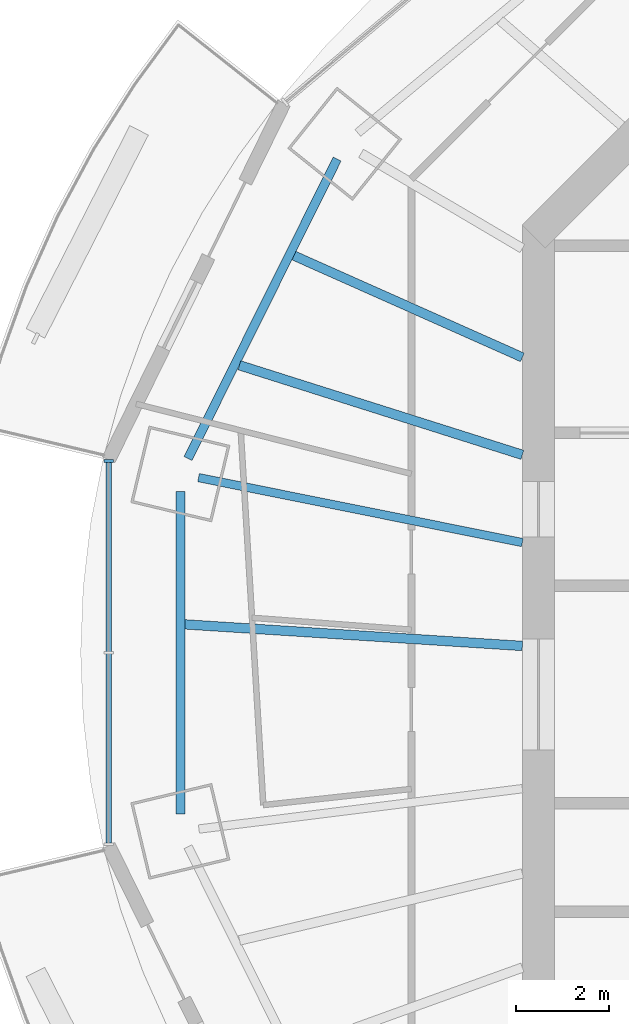
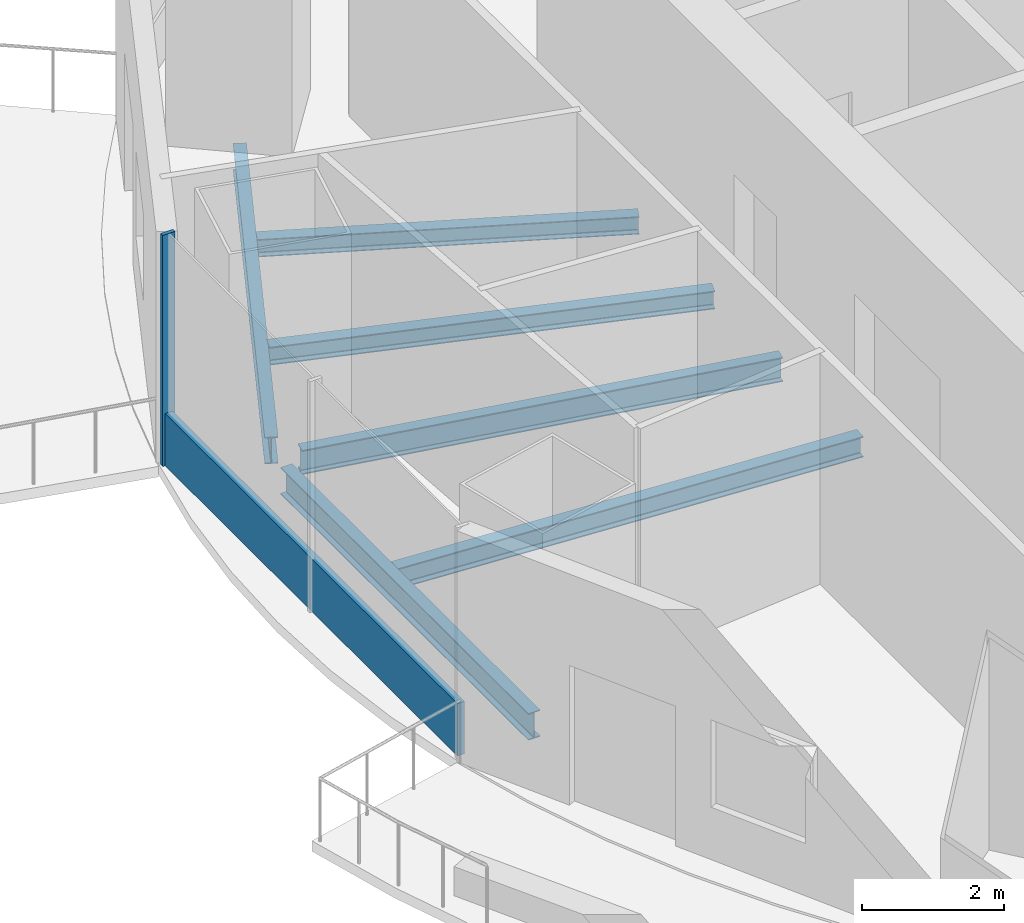
# One storey, part 3 of 15: 6 beams, 2 members, 1 element without a shape of its own.
"""IFC4 building model written with IfcOpenShell, lengths in metres."""

from ifc_helpers import new_model, si_unit, direction, frame, origin, origin_2d, place, context, subcontext, project, spatial, rectangle, i_section, extrude, material, material_profile, profile_set, type_object, element, aggregate, save


model = new_model("IFC4")

# Units and contexts
model_context = context("Model", 3, precision=1e-05, world=origin(), true_north=direction((0.0, 1.0)))
body_context = subcontext(model_context, "Body", "Model", "MODEL_VIEW")
ifc_project = project(units=[si_unit("LENGTHUNIT", "METRE"), si_unit("AREAUNIT", "SQUARE_METRE"), si_unit("VOLUMEUNIT", "CUBIC_METRE"), si_unit("PLANEANGLEUNIT", "RADIAN"), si_unit("MASSUNIT", "GRAM", prefix="KILO")], contexts=[model_context])

# Site, building, storey
site_placement = place(None, origin())
site = spatial("IfcSite", under=ifc_project, at=site_placement, CompositionType="ELEMENT")
building_placement = place(site_placement, origin())
building = spatial("IfcBuilding", under=site, at=building_placement, Name="Marenthal Gate Tower", CompositionType="ELEMENT")
storey_placement = place(building_placement, frame((0.0, 0.0, 384.10009765625)))
storey = spatial("IfcBuildingStorey", under=building, at=storey_placement, Name="L87", CompositionType="ELEMENT", Elevation=384.10009765625)

# Curtain wall, members
ifc_material_1 = material(Name="Aluminium and glass", Category="aluminium")
curtain_wall_type = type_object("IfcCurtainWallType", Name="Curtain wall typical high", PredefinedType="NOTDEFINED", material=ifc_material_1)
curtain_wall_placement = place(storey_placement, origin())
curtain_wall = element("IfcCurtainWall", 1, at=curtain_wall_placement, inside=storey, type_object=curtain_wall_type, Name="Curtain wall L87 bay 8", PredefinedType="NOTDEFINED")
ifc_material_2 = material(Name="Aluminium", Category="aluminium")
ifc_material_profile_1 = material_profile(ifc_material_2, rectangle(XDim=0.199951171875, YDim=0.06005859375, at=origin_2d()), Name="60x200 aluminium mullion")
ifc_profile_set_1 = profile_set([ifc_material_profile_1], Name="Aluminium")
member_type_1 = type_object("IfcMemberType", Name="Mullion 60x200 typical high", PredefinedType="MULLION", material=ifc_profile_set_1)
member_1_placement = place(storey_placement, frame((-25.292236328125, 5.041015625, 0.0), z_axis=(0.0, 0.0, 1.0), x_axis=(1.0, 0.0, 0.0)))
member_1 = element("IfcMember", 2, at=member_1_placement, type_object=member_type_1, Name="Mullion L87 bay 8.1", PredefinedType="MULLION", context=body_context, shape_type="SweptSolid", body=[
    extrude(rectangle(XDim=0.199951171875, YDim=0.06005859375, at=origin_2d()), origin(), (0.0, 0.0, 1.0), 3.969970703125),
])
ifc_material_3 = material(Name="Aluminium", Category="aluminium")
ifc_material_profile_2 = material_profile(ifc_material_3, rectangle(XDim=0.1201171875, YDim=0.89990234375, at=origin_2d()), Name="120x900 aluminium transom")
ifc_profile_set_2 = profile_set([ifc_material_profile_2], Name="Aluminium")
member_type_2 = type_object("IfcMemberType", Name="Transom 120x900 typical high", PredefinedType="USERDEFINED", material=ifc_profile_set_2)
member_2_placement = place(storey_placement, frame((-25.292236328125, 5.010986328125, 0.449951171875), z_axis=(0.0, -1.0, 0.0), x_axis=(1.0, 0.0, 0.0)))
member_2 = element("IfcMember", 3, at=member_2_placement, type_object=member_type_2, Name="Transom L87 bay 8", ObjectType="TRANSOM", PredefinedType="USERDEFINED", context=body_context, shape_type="SweptSolid", body=[
    extrude(rectangle(XDim=0.1201171875, YDim=0.89990234375, at=origin_2d()), origin(), (0.0, 0.0, 1.0), 8.221923828125),
])
aggregate(curtain_wall, [member_1, member_2])

# Beams
ifc_material_4 = material(Name="Steel S355", Category="steel")
ifc_material_profile_3 = material_profile(ifc_material_4, i_section(OverallWidth=0.202880859375, OverallDepth=0.302001953125, WebThickness=0.007568359375, FlangeThickness=0.01318359375, FilletRadius=0.0126953125, at=origin_2d()), Name="W310X60")
ifc_profile_set_3 = profile_set([ifc_material_profile_3], Name="Steel S355")
beam_type_1 = type_object("IfcBeamType", Name="W310X60 beam", PredefinedType="BEAM", material=ifc_profile_set_3)
beam_1_placement = place(storey_placement, frame((-21.2861328125, 9.482177734375, -0.3310546875), z_axis=(0.913455344752, -0.406938979631, 0.0), x_axis=(0.406938979631, 0.913455344752, 0.0)))
element("IfcBeam", 4, at=beam_1_placement, inside=storey, type_object=beam_type_1, Name="BM-L87-25", PredefinedType="BEAM", context=body_context, shape_type="SweptSolid", body=[
    extrude(i_section(OverallWidth=0.202880859375, OverallDepth=0.302001953125, WebThickness=0.007568359375, FlangeThickness=0.01318359375, FilletRadius=0.0126953125, at=origin_2d()), origin(), (0.0, 0.0, 1.0), 5.40380859375),
])
ifc_material_5 = material(Name="Steel S355", Category="steel")
ifc_material_profile_4 = material_profile(ifc_material_5, i_section(OverallWidth=0.205078125, OverallDepth=0.31005859375, WebThickness=0.009521484375, FlangeThickness=0.016357421875, FilletRadius=0.0126953125, at=origin_2d()), Name="W310X74")
ifc_profile_set_4 = profile_set([ifc_material_profile_4], Name="Steel S355")
beam_type_2 = type_object("IfcBeamType", Name="W310X74 beam", PredefinedType="BEAM", material=ifc_profile_set_4)
beam_2_placement = place(storey_placement, frame((-22.466064453125, 7.11279296875, -0.335205078125), z_axis=(0.953362121218, -0.301828868444, 0.0), x_axis=(0.301828868444, 0.953362121218, 0.0)))
element("IfcBeam", 5, at=beam_2_placement, inside=storey, type_object=beam_type_2, Name="BM-L87-26", PredefinedType="BEAM", context=body_context, shape_type="SweptSolid", body=[
    extrude(i_section(OverallWidth=0.205078125, OverallDepth=0.31005859375, WebThickness=0.009521484375, FlangeThickness=0.016357421875, FilletRadius=0.0126953125, at=origin_2d()), origin(), (0.0, 0.0, 1.0), 6.4150390625),
])
ifc_material_6 = material(Name="Steel S355", Category="steel")
ifc_material_profile_5 = material_profile(ifc_material_6, i_section(OverallWidth=0.205078125, OverallDepth=0.35302734375, WebThickness=0.009521484375, FlangeThickness=0.016845703125, FilletRadius=0.014892578125, at=origin_2d()), Name="W360X79")
ifc_profile_set_5 = profile_set([ifc_material_profile_5], Name="Steel S355")
beam_type_3 = type_object("IfcBeamType", Name="W360X79 beam", PredefinedType="BEAM", material=ifc_profile_set_5)
beam_3_placement = place(storey_placement, frame((-23.647216796875, 1.511962890625, -0.356689453125), z_axis=(0.997962303088, -0.06380628195, 0.0), x_axis=(0.06380628195, 0.997962303088, 0.0)))
element("IfcBeam", 6, at=beam_3_placement, inside=storey, type_object=beam_type_3, Name="BM-L87-27", PredefinedType="BEAM", context=body_context, shape_type="SweptSolid", body=[
    extrude(i_section(OverallWidth=0.205078125, OverallDepth=0.35302734375, WebThickness=0.009521484375, FlangeThickness=0.016845703125, FilletRadius=0.014892578125, at=origin_2d()), origin(), (0.0, 0.0, 1.0), 7.31201171875),
])
ifc_material_7 = material(Name="Steel S355", Category="steel")
ifc_material_profile_6 = material_profile(ifc_material_7, i_section(OverallWidth=0.180908203125, OverallDepth=0.4169921875, WebThickness=0.010986328125, FlangeThickness=0.018310546875, FilletRadius=0.01025390625, at=origin_2d()), Name="W410X85")
ifc_profile_set_6 = profile_set([ifc_material_profile_6], Name="Steel S355")
beam_type_4 = type_object("IfcBeamType", Name="W410X85 beam", PredefinedType="BEAM", material=ifc_profile_set_6)
beam_4_placement = place(storey_placement, frame((-23.349853515625, 4.68408203125, -0.388671875), z_axis=(0.980463441902, -0.196701395759, 0.0), x_axis=(0.196701395759, 0.980463441902, 0.0)))
element("IfcBeam", 7, at=beam_4_placement, inside=storey, type_object=beam_type_4, Name="BM-L87-08", PredefinedType="BEAM", context=body_context, shape_type="SweptSolid", body=[
    extrude(i_section(OverallWidth=0.180908203125, OverallDepth=0.4169921875, WebThickness=0.010986328125, FlangeThickness=0.018310546875, FilletRadius=0.01025390625, at=origin_2d()), origin(), (0.0, 0.0, 1.0), 7.13916015625),
])
ifc_material_8 = material(Name="Steel S355", Category="steel")
ifc_material_profile_7 = material_profile(ifc_material_8, i_section(OverallWidth=0.19091796875, OverallDepth=0.45703125, WebThickness=0.009033203125, FlangeThickness=0.014404296875, FilletRadius=0.01025390625, at=origin_2d()), Name="W460X74")
ifc_profile_set_7 = profile_set([ifc_material_profile_7], Name="Steel S355")
beam_type_5 = type_object("IfcBeamType", Name="W460X74 beam", PredefinedType="BEAM", material=ifc_profile_set_7)
beam_5_placement = place(storey_placement, frame((-20.35400390625, 11.569091796875, -0.40869140625), z_axis=(-0.445686804831, -0.895188958824, 0.0), x_axis=(0.895188958824, -0.445686804831, 0.0)))
element("IfcBeam", 8, at=beam_5_placement, inside=storey, type_object=beam_type_5, Name="BM-L87-44", PredefinedType="BEAM", context=body_context, shape_type="SweptSolid", body=[
    extrude(i_section(OverallWidth=0.19091796875, OverallDepth=0.45703125, WebThickness=0.009033203125, FlangeThickness=0.014404296875, FilletRadius=0.01025390625, at=origin_2d()), origin(), (0.0, 0.0, 1.0), 7.230712890625),
])
beam_6_placement = place(storey_placement, frame((-23.74267578125, 4.388916015625, -0.40869140625), z_axis=(0.0, -1.0, 0.0), x_axis=(1.0, 0.0, 0.0)))
element("IfcBeam", 9, at=beam_6_placement, inside=storey, type_object=beam_type_5, Name="BM-L87-45", PredefinedType="BEAM", context=body_context, shape_type="SweptSolid", body=[
    extrude(i_section(OverallWidth=0.19091796875, OverallDepth=0.45703125, WebThickness=0.009033203125, FlangeThickness=0.014404296875, FilletRadius=0.01025390625, at=origin_2d()), origin(), (0.0, 0.0, 1.0), 6.977783203125),
])

save(model, "model.ifc")
